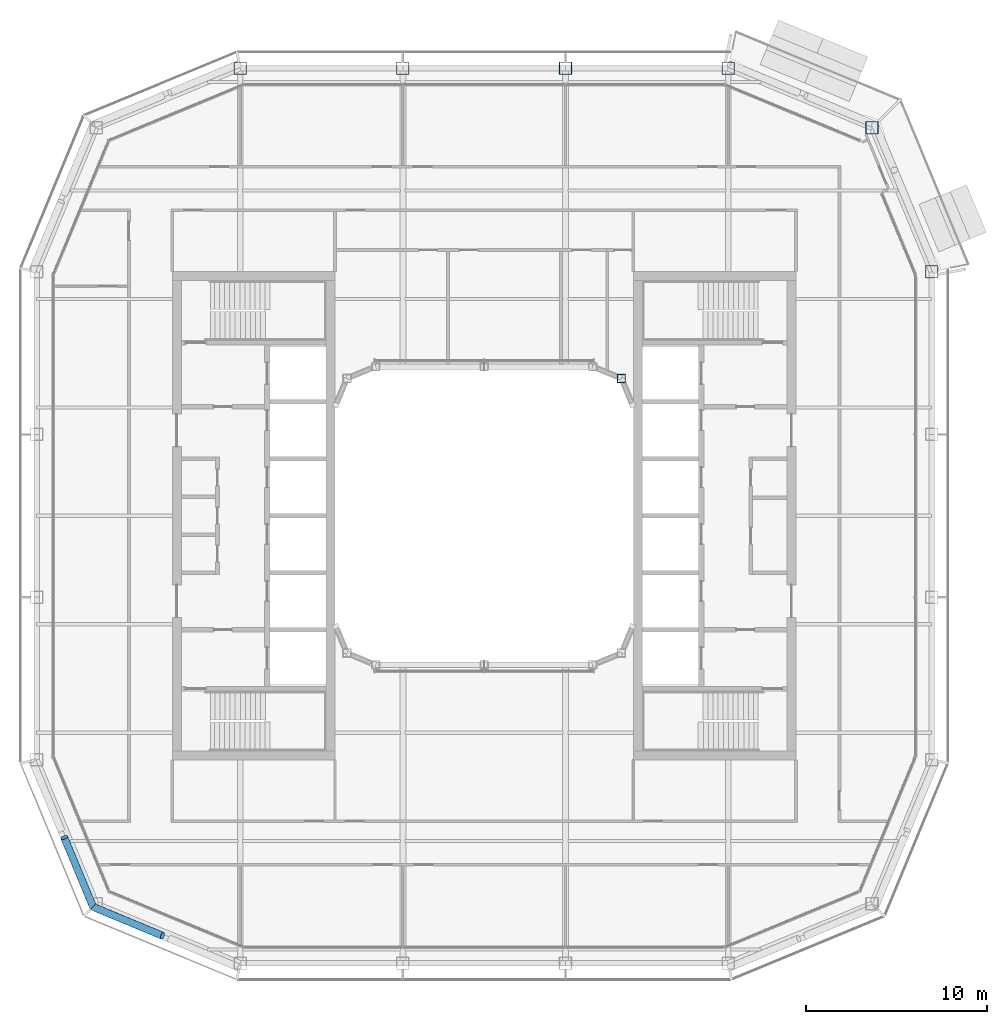
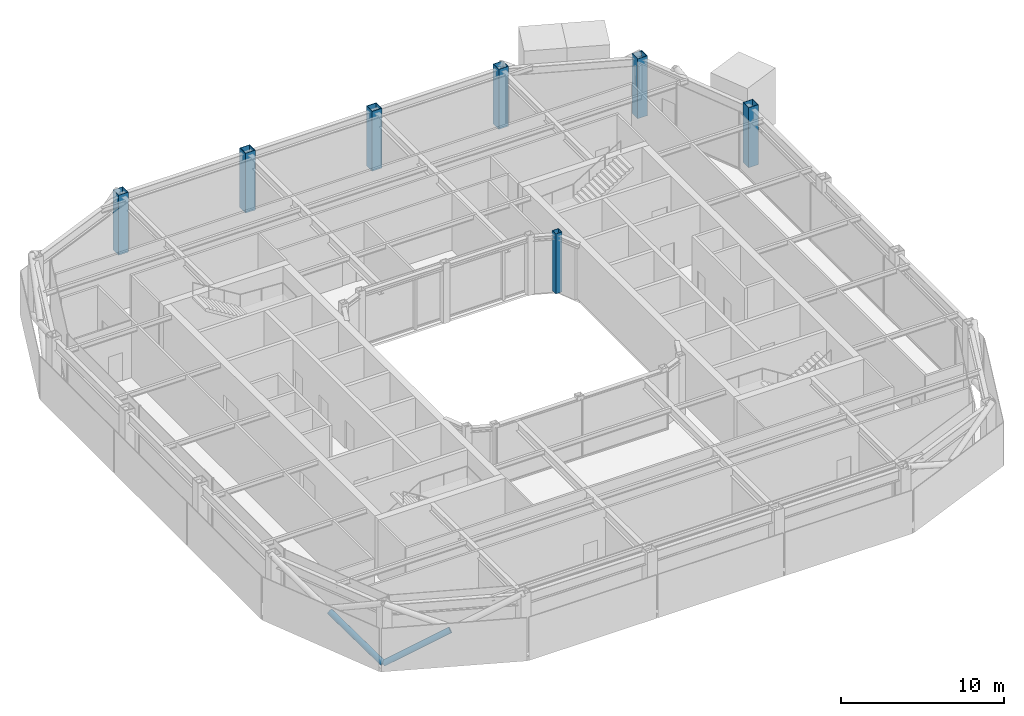
# One storey, part 2 of 21: 7 columns, 2 members.
"""IFC4 building model written with IfcOpenShell, lengths in metres."""

from ifc_helpers import new_model, si_unit, direction, frame, origin, origin_2d, place, context, subcontext, project, spatial, hollow_rectangle, hollow_circle, extrude, material, material_profile, profile_set, type_object, element, save


model = new_model("IFC4")

# Units and contexts
model_context = context("Model", 3, precision=1e-05, world=origin(), true_north=direction((0.0, 1.0)))
body_context = subcontext(model_context, "Body", "Model", "MODEL_VIEW")
ifc_project = project(units=[si_unit("LENGTHUNIT", "METRE"), si_unit("AREAUNIT", "SQUARE_METRE"), si_unit("VOLUMEUNIT", "CUBIC_METRE"), si_unit("PLANEANGLEUNIT", "RADIAN"), si_unit("MASSUNIT", "GRAM", prefix="KILO")], contexts=[model_context])

# Site, building, storey
site_placement = place(None, origin())
site = spatial("IfcSite", under=ifc_project, at=site_placement, CompositionType="ELEMENT")
building_placement = place(site_placement, origin())
building = spatial("IfcBuilding", under=site, at=building_placement, Name="Siwar Civic Tower", CompositionType="ELEMENT")
storey_placement = place(building_placement, frame((0.0, 0.0, 343.699951171875)))
storey = spatial("IfcBuildingStorey", under=building, at=storey_placement, Name="L74", CompositionType="ELEMENT", Elevation=343.699951171875)

# Columns
ifc_material_1 = material(Name="Steel S355", Category="steel")
ifc_material_profile_1 = material_profile(ifc_material_1, hollow_rectangle(XDim=0.699951171875, YDim=0.699951171875, WallThickness=0.035888671875, at=origin_2d()), Name="BOX700x700x36")
ifc_profile_set_1 = profile_set([ifc_material_profile_1], Name="Steel S355")
column_type_1 = type_object("IfcColumnType", Name="STR-COL-BOX700x700x36", PredefinedType="COLUMN", material=ifc_profile_set_1)
for number, where, z_axis, x_axis, name in (
    (1, (24.75, 13.5, 0.0), (0.0, 0.0, 1.0), (1.0, 0.0, 0.0), "L74/col/NE1-0"),
    (2, (21.454833984375, 21.454833984375, 0.0), (0.0, 0.0, 1.0), (1.0, 0.0, 0.0), "L74/col/NE2-0"),
    (3, (13.5, 24.75, 0.0), (0.0, 0.0, 1.0), (1.0, 0.0, 0.0), "L74/col/N-0"),
    (4, (4.5, 24.75, 0.0), (0.0, 0.0, 1.0), (1.0, 0.0, 0.0), "L74/col/N-1"),
    (5, (-4.5, 24.75, 0.0), (0.0, 0.0, 1.0), (1.0, 0.0, 0.0), "L74/col/N-2"),
    (6, (-13.5, 24.75, 0.0), (0.0, 0.0, 1.0), (1.0, 0.0, 0.0), "L74/col/NW1-0"),
):
    element("IfcColumn", number, at=place(storey_placement, frame(where, z_axis=z_axis, x_axis=x_axis)), inside=storey, type_object=column_type_1, Name=name, PredefinedType="COLUMN", context=body_context, shape_type="SweptSolid", body=[
        extrude(hollow_rectangle(XDim=0.699951171875, YDim=0.699951171875, WallThickness=0.035888671875, at=origin_2d()), origin(), (0.0, 0.0, 1.0), 4.5),
    ])
ifc_material_2 = material(Name="Steel S355", Category="steel")
ifc_material_profile_2 = material_profile(ifc_material_2, hollow_rectangle(XDim=0.449951171875, YDim=0.449951171875, WallThickness=0.02197265625, at=origin_2d()), Name="BOX450x450x22")
ifc_profile_set_2 = profile_set([ifc_material_profile_2], Name="Steel S355")
column_type_2 = type_object("IfcColumnType", Name="STR-ICOL-BOX450x450x22", PredefinedType="COLUMN", material=ifc_profile_set_2)
column_placement = place(storey_placement, frame((7.591064453125, 7.591064453125, 0.0), z_axis=(0.0, 0.0, 1.0), x_axis=(1.0, 0.0, 0.0)))
element("IfcColumn", 7, at=column_placement, inside=storey, type_object=column_type_2, Name="L74/col/IN-4", PredefinedType="COLUMN", context=body_context, shape_type="SweptSolid", body=[
    extrude(hollow_rectangle(XDim=0.449951171875, YDim=0.449951171875, WallThickness=0.02197265625, at=origin_2d()), origin(), (0.0, 0.0, 1.0), 4.5),
])

# Members
ifc_material_3 = material(Name="Steel S355", Category="steel")
ifc_material_profile_3 = material_profile(ifc_material_3, hollow_circle(Radius=0.203125, WallThickness=0.01611328125, at=origin_2d()), Name="CHS406.4x16")
ifc_profile_set_3 = profile_set([ifc_material_profile_3], Name="Steel S355")
member_type = type_object("IfcMemberType", Name="STR-BR-CHS406.4x16", PredefinedType="BRACE", material=ifc_profile_set_3)
for number, where, z_axis, x_axis, name in (
    (8, (-21.6318359375, -21.6318359375, 0.0), (0.821147096886, -0.341644380467, 0.457161418507), (0.38413607648, 0.923276488787, 0.0), "L74/brc/DSW1-13-0-2"),
    (9, (-21.6318359375, -21.6318359375, 0.0), (-0.341644380467, 0.821147096886, 0.457161418507), (-0.923276488787, -0.38413607648, 0.0), "L74/brc/DSW1-13-0-4"),
):
    element("IfcMember", number, at=place(storey_placement, frame(where, z_axis=z_axis, x_axis=x_axis)), inside=storey, type_object=member_type, Name=name, PredefinedType="BRACE", context=body_context, shape_type="SweptSolid", body=[
        extrude(hollow_circle(Radius=0.203125, WallThickness=0.01611328125, at=origin_2d()), origin(), (0.0, 0.0, 1.0), 4.677001953125),
    ])

save(model, "model.ifc")
